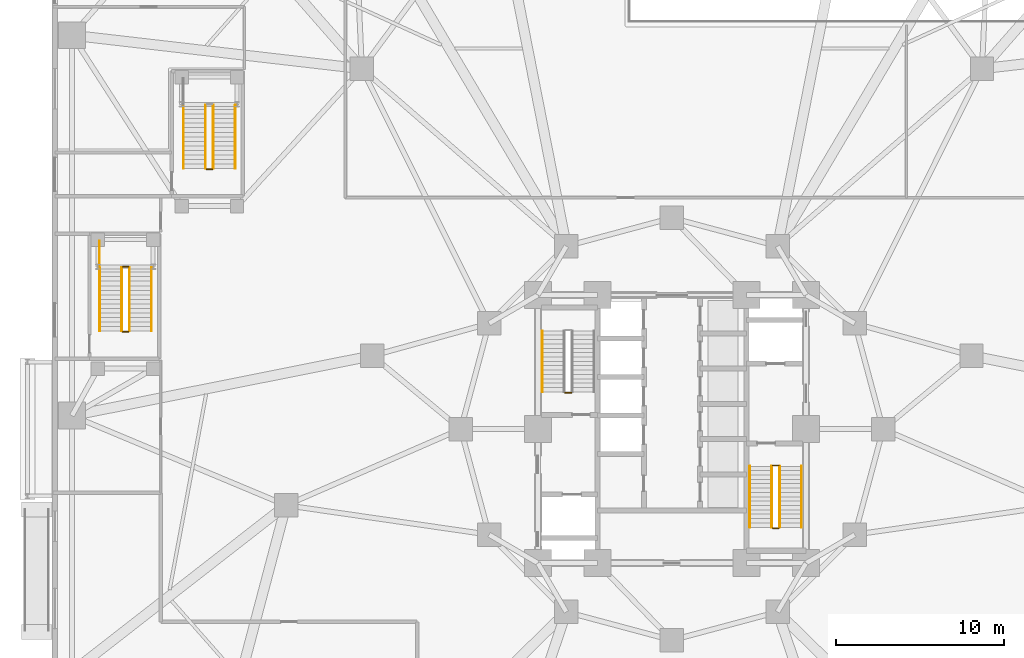
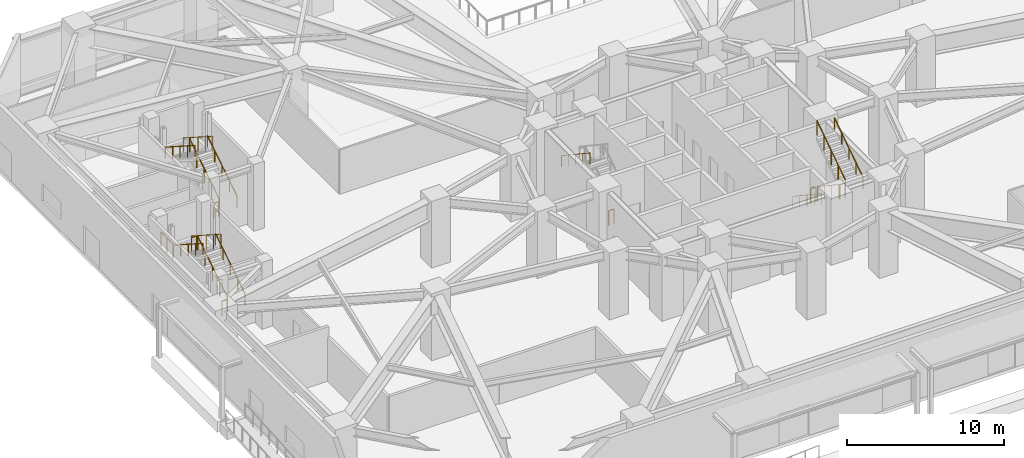
# One storey, part 24 of 30: 20 railings.
"""IFC4 building model written with IfcOpenShell, lengths in metres."""

from ifc_helpers import new_model, si_unit, direction, frame, origin, origin_2d, place, context, subcontext, project, spatial, circle, extrude, material, layer, layer_set, type_object, element, save


model = new_model("IFC4")

# Units and contexts
model_context = context("Model", 3, precision=1e-05, world=origin(), true_north=direction((0.0, 1.0)))
body_context = subcontext(model_context, "Body", "Model", "MODEL_VIEW")
ifc_project = project(units=[si_unit("LENGTHUNIT", "METRE"), si_unit("AREAUNIT", "SQUARE_METRE"), si_unit("VOLUMEUNIT", "CUBIC_METRE"), si_unit("PLANEANGLEUNIT", "RADIAN"), si_unit("MASSUNIT", "GRAM", prefix="KILO")], contexts=[model_context])

# Site, building, storey
site_placement = place(None, origin())
site = spatial("IfcSite", under=ifc_project, at=site_placement, CompositionType="ELEMENT")
building_placement = place(site_placement, origin())
building = spatial("IfcBuilding", under=site, at=building_placement, Name="Terralouvre Media Tower", CompositionType="ELEMENT")
storey_placement = place(building_placement, origin())
storey = spatial("IfcBuildingStorey", under=building, at=storey_placement, Name="L00", CompositionType="ELEMENT", Elevation=0.0)

# Railings
ifc_material_1 = material(Name="Stainless steel 316 handrail and balustrade", Category="steel")
ifc_layer_1 = layer(ifc_material_1, 0.050048828125, Name="Stair Flight Wall Handrail HR-INT1")
ifc_layer_set_1 = layer_set([ifc_layer_1], Name="Stainless steel 316 handrail and balustrade")
railing_type_1 = type_object("IfcRailingType", Name="Stair Flight Wall Handrail HR-INT1", PredefinedType="HANDRAIL", material=ifc_layer_set_1)
railing_1_placement = place(storey_placement, frame((-7.72998046875, 5.860107421875, 2.7734375)))
element("IfcRailing", 1, at=railing_1_placement, inside=storey, type_object=railing_type_1, Name="L00 ST-01 stair handrail 2", PredefinedType="HANDRAIL", context=body_context, shape_type="SweptSolid", body=[
    extrude(circle(Radius=0.02392578125, at=origin_2d()), frame((0.0, 0.0, 0.8759765625), z_axis=(0.0, -0.832076050322, 0.554661560305), x_axis=(1.0, 0.0, 0.0)), (0.0, 0.0, 1.0), 4.374755859375),
    extrude(circle(Radius=0.02099609375, at=origin_2d()), origin(), (0.0, 0.0, 1.0), 0.851806640625),
    extrude(circle(Radius=0.02099609375, at=origin_2d()), frame((0.0, -0.91015625, 0.606689453125)), (0.0, 0.0, 1.0), 0.851806640625),
    extrude(circle(Radius=0.02099609375, at=origin_2d()), frame((0.0, -1.820068359375, 1.21337890625)), (0.0, 0.0, 1.0), 0.851806640625),
    extrude(circle(Radius=0.02099609375, at=origin_2d()), frame((0.0, -2.72998046875, 1.81982421875)), (0.0, 0.0, 1.0), 0.851806640625),
    extrude(circle(Radius=0.02099609375, at=origin_2d()), frame((0.0, -3.64013671875, 2.426513671875)), (0.0, 0.0, 1.0), 0.851806640625),
])
railing_2_placement = place(storey_placement, frame((4.64990234375, -2.219970703125, 0.17333984375)))
element("IfcRailing", 2, at=railing_2_placement, inside=storey, type_object=railing_type_1, Name="L00 ST-02 stair handrail 1", PredefinedType="HANDRAIL", context=body_context, shape_type="SweptSolid", body=[
    extrude(circle(Radius=0.02392578125, at=origin_2d()), frame((0.0, 0.0, 0.8759765625), z_axis=(0.0, -0.832050294338, 0.554700196225), x_axis=(1.0, 0.0, 0.0)), (0.0, 0.0, 1.0), 4.375),
    extrude(circle(Radius=0.02099609375, at=origin_2d()), origin(), (0.0, 0.0, 1.0), 0.851806640625),
    extrude(circle(Radius=0.02099609375, at=origin_2d()), frame((0.0, -0.91015625, 0.606689453125)), (0.0, 0.0, 1.0), 0.851806640625),
    extrude(circle(Radius=0.02099609375, at=origin_2d()), frame((0.0, -1.820068359375, 1.21337890625)), (0.0, 0.0, 1.0), 0.851806640625),
    extrude(circle(Radius=0.02099609375, at=origin_2d()), frame((0.0, -2.72998046875, 1.820068359375)), (0.0, 0.0, 1.0), 0.851806640625),
    extrude(circle(Radius=0.02099609375, at=origin_2d()), frame((0.0, -3.64013671875, 2.4267578125)), (0.0, 0.0, 1.0), 0.851806640625),
])
railing_3_placement = place(storey_placement, frame((7.72998046875, -5.860107421875, 2.7734375)))
element("IfcRailing", 3, at=railing_3_placement, inside=storey, type_object=railing_type_1, Name="L00 ST-02 stair handrail 2", PredefinedType="HANDRAIL", context=body_context, shape_type="SweptSolid", body=[
    extrude(circle(Radius=0.02392578125, at=origin_2d()), frame((0.0, 0.0, 0.8759765625), z_axis=(0.0, 0.832076050322, 0.554661560305), x_axis=(-1.0, 0.0, 0.0)), (0.0, 0.0, 1.0), 4.374755859375),
    extrude(circle(Radius=0.02099609375, at=origin_2d()), origin(), (0.0, 0.0, 1.0), 0.851806640625),
    extrude(circle(Radius=0.02099609375, at=origin_2d()), frame((0.0, 0.91015625, 0.606689453125)), (0.0, 0.0, 1.0), 0.851806640625),
    extrude(circle(Radius=0.02099609375, at=origin_2d()), frame((0.0, 1.820068359375, 1.21337890625)), (0.0, 0.0, 1.0), 0.851806640625),
    extrude(circle(Radius=0.02099609375, at=origin_2d()), frame((0.0, 2.72998046875, 1.81982421875)), (0.0, 0.0, 1.0), 0.851806640625),
    extrude(circle(Radius=0.02099609375, at=origin_2d()), frame((0.0, 3.64013671875, 2.426513671875)), (0.0, 0.0, 1.0), 0.851806640625),
])
railing_4_placement = place(storey_placement, frame((-31.050048828125, 5.85009765625, 0.17333984375)))
element("IfcRailing", 4, at=railing_4_placement, inside=storey, type_object=railing_type_1, Name="L00 ST-03 stair handrail 1", PredefinedType="HANDRAIL", context=body_context, shape_type="SweptSolid", body=[
    extrude(circle(Radius=0.02392578125, at=origin_2d()), frame((0.0, 0.0, 0.8759765625), z_axis=(0.0, 0.841492677865, 0.540268519441), x_axis=(-1.0, 0.0, 0.0)), (0.0, 0.0, 1.0), 4.49169921875),
    extrude(circle(Radius=0.02099609375, at=origin_2d()), origin(), (0.0, 0.0, 1.0), 0.851806640625),
    extrude(circle(Radius=0.02099609375, at=origin_2d()), frame((0.0, 0.94482421875, 0.606689453125)), (0.0, 0.0, 1.0), 0.851806640625),
    extrude(circle(Radius=0.02099609375, at=origin_2d()), frame((0.0, 1.889892578125, 1.21337890625)), (0.0, 0.0, 1.0), 0.851806640625),
    extrude(circle(Radius=0.02099609375, at=origin_2d()), frame((0.0, 2.8349609375, 1.820068359375)), (0.0, 0.0, 1.0), 0.851806640625),
    extrude(circle(Radius=0.02099609375, at=origin_2d()), frame((0.0, 3.77978515625, 2.4267578125)), (0.0, 0.0, 1.0), 0.851806640625),
])
railing_5_placement = place(storey_placement, frame((-34.14990234375, 9.6298828125, 2.7734375)))
element("IfcRailing", 5, at=railing_5_placement, inside=storey, type_object=railing_type_1, Name="L00 ST-03 stair handrail 2", PredefinedType="HANDRAIL", context=body_context, shape_type="SweptSolid", body=[
    extrude(circle(Radius=0.02392578125, at=origin_2d()), frame((0.0, 0.0, 0.8759765625), z_axis=(0.0, -0.84151738831, 0.540230029868), x_axis=(1.0, 0.0, 0.0)), (0.0, 0.0, 1.0), 4.49169921875),
    extrude(circle(Radius=0.02099609375, at=origin_2d()), origin(), (0.0, 0.0, 1.0), 0.851806640625),
    extrude(circle(Radius=0.02099609375, at=origin_2d()), frame((0.0, -0.94482421875, 0.606689453125)), (0.0, 0.0, 1.0), 0.851806640625),
    extrude(circle(Radius=0.02099609375, at=origin_2d()), frame((0.0, -1.889892578125, 1.21337890625)), (0.0, 0.0, 1.0), 0.851806640625),
    extrude(circle(Radius=0.02099609375, at=origin_2d()), frame((0.0, -2.8349609375, 1.81982421875)), (0.0, 0.0, 1.0), 0.851806640625),
    extrude(circle(Radius=0.02099609375, at=origin_2d()), frame((0.0, -3.77978515625, 2.426513671875)), (0.0, 0.0, 1.0), 0.851806640625),
])
railing_6_placement = place(storey_placement, frame((-26.050048828125, 15.550048828125, 0.17333984375)))
element("IfcRailing", 6, at=railing_6_placement, inside=storey, type_object=railing_type_1, Name="L00 ST-06 stair handrail 1", PredefinedType="HANDRAIL", context=body_context, shape_type="SweptSolid", body=[
    extrude(circle(Radius=0.02392578125, at=origin_2d()), frame((0.0, 0.0, 0.8759765625), z_axis=(0.0, 0.841508541869, 0.540243809739), x_axis=(-1.0, 0.0, 0.0)), (0.0, 0.0, 1.0), 4.491943359375),
    extrude(circle(Radius=0.02099609375, at=origin_2d()), origin(), (0.0, 0.0, 1.0), 0.851806640625),
    extrude(circle(Radius=0.02099609375, at=origin_2d()), frame((0.0, 0.945068359375, 0.606689453125)), (0.0, 0.0, 1.0), 0.851806640625),
    extrude(circle(Radius=0.02099609375, at=origin_2d()), frame((0.0, 1.89013671875, 1.21337890625)), (0.0, 0.0, 1.0), 0.851806640625),
    extrude(circle(Radius=0.02099609375, at=origin_2d()), frame((0.0, 2.8349609375, 1.820068359375)), (0.0, 0.0, 1.0), 0.851806640625),
    extrude(circle(Radius=0.02099609375, at=origin_2d()), frame((0.0, 3.780029296875, 2.4267578125)), (0.0, 0.0, 1.0), 0.851806640625),
])
railing_7_placement = place(storey_placement, frame((-29.14990234375, 19.330078125, 2.7734375)))
element("IfcRailing", 7, at=railing_7_placement, inside=storey, type_object=railing_type_1, Name="L00 ST-06 stair handrail 2", PredefinedType="HANDRAIL", context=body_context, shape_type="SweptSolid", body=[
    extrude(circle(Radius=0.02392578125, at=origin_2d()), frame((0.0, 0.0, 0.8759765625), z_axis=(0.0, -0.84153325052, 0.540205320475), x_axis=(1.0, 0.0, 0.0)), (0.0, 0.0, 1.0), 4.491943359375),
    extrude(circle(Radius=0.02099609375, at=origin_2d()), origin(), (0.0, 0.0, 1.0), 0.851806640625),
    extrude(circle(Radius=0.02099609375, at=origin_2d()), frame((0.0, -0.945068359375, 0.606689453125)), (0.0, 0.0, 1.0), 0.851806640625),
    extrude(circle(Radius=0.02099609375, at=origin_2d()), frame((0.0, -1.89013671875, 1.21337890625)), (0.0, 0.0, 1.0), 0.851806640625),
    extrude(circle(Radius=0.02099609375, at=origin_2d()), frame((0.0, -2.8349609375, 1.81982421875)), (0.0, 0.0, 1.0), 0.851806640625),
    extrude(circle(Radius=0.02099609375, at=origin_2d()), frame((0.0, -3.780029296875, 2.426513671875)), (0.0, 0.0, 1.0), 0.851806640625),
])
ifc_material_2 = material(Name="Stainless steel 316 handrail and balustrade", Category="steel")
ifc_layer_2 = layer(ifc_material_2, 0.050048828125, Name="Stairwell Safety Guardrail GR-INT1")
ifc_layer_set_2 = layer_set([ifc_layer_2], Name="Stainless steel 316 handrail and balustrade")
railing_type_2 = type_object("IfcRailingType", Name="Stairwell Safety Guardrail GR-INT1", PredefinedType="GUARDRAIL", material=ifc_layer_set_2)
railing_8_placement = place(storey_placement, frame((-6.0, 2.169921875, 0.0)))
element("IfcRailing", 8, at=railing_8_placement, inside=storey, type_object=railing_type_2, Name="L00 ST-01 stair guard 4", PredefinedType="GUARDRAIL", context=body_context, shape_type="SweptSolid", body=[
    extrude(circle(Radius=0.02392578125, at=origin_2d()), frame((0.0, 0.0, 1.1259765625), z_axis=(-1.0, 0.0, 0.0), x_axis=(0.0, -1.0, 0.0)), (0.0, 0.0, 1.0), 0.3798828125),
    extrude(circle(Radius=0.02099609375, at=origin_2d()), origin(), (0.0, 0.0, 1.0), 1.101806640625),
    extrude(circle(Radius=0.02099609375, at=origin_2d()), frame((-0.3798828125, 0.0, 0.0)), (0.0, 0.0, 1.0), 1.101806640625),
])
railing_9_placement = place(storey_placement, frame((5.949951171875, -2.219970703125, 0.17333984375)))
element("IfcRailing", 9, at=railing_9_placement, inside=storey, type_object=railing_type_2, Name="L00 ST-02 stair guard 1", PredefinedType="GUARDRAIL", context=body_context, shape_type="SweptSolid", body=[
    extrude(circle(Radius=0.02392578125, at=origin_2d()), frame((0.0, 0.0, 1.1259765625), z_axis=(0.0, -0.832050294338, 0.554700196225), x_axis=(1.0, 0.0, 0.0)), (0.0, 0.0, 1.0), 4.375),
    extrude(circle(Radius=0.02099609375, at=origin_2d()), origin(), (0.0, 0.0, 1.0), 1.101806640625),
    extrude(circle(Radius=0.02099609375, at=origin_2d()), frame((0.0, -0.91015625, 0.606689453125)), (0.0, 0.0, 1.0), 1.101806640625),
    extrude(circle(Radius=0.02099609375, at=origin_2d()), frame((0.0, -1.820068359375, 1.21337890625)), (0.0, 0.0, 1.0), 1.101806640625),
    extrude(circle(Radius=0.02099609375, at=origin_2d()), frame((0.0, -2.72998046875, 1.820068359375)), (0.0, 0.0, 1.0), 1.101806640625),
    extrude(circle(Radius=0.02099609375, at=origin_2d()), frame((0.0, -3.64013671875, 2.4267578125)), (0.0, 0.0, 1.0), 1.101806640625),
])
railing_10_placement = place(storey_placement, frame((6.0, -5.909912109375, 2.60009765625)))
element("IfcRailing", 10, at=railing_10_placement, inside=storey, type_object=railing_type_2, Name="L00 ST-02 stair guard 2", PredefinedType="GUARDRAIL", context=body_context, shape_type="SweptSolid", body=[
    extrude(circle(Radius=0.02392578125, at=origin_2d()), frame((0.0, 0.0, 1.1259765625), z_axis=(1.0, 0.0, 0.0), x_axis=(0.0, 1.0, 0.0)), (0.0, 0.0, 1.0), 0.3798828125),
    extrude(circle(Radius=0.02099609375, at=origin_2d()), origin(), (0.0, 0.0, 1.0), 1.101806640625),
    extrude(circle(Radius=0.02099609375, at=origin_2d()), frame((0.3798828125, 0.0, 0.0)), (0.0, 0.0, 1.0), 1.101806640625),
])
railing_11_placement = place(storey_placement, frame((6.429931640625, -5.860107421875, 2.7734375)))
element("IfcRailing", 11, at=railing_11_placement, inside=storey, type_object=railing_type_2, Name="L00 ST-02 stair guard 3", PredefinedType="GUARDRAIL", context=body_context, shape_type="SweptSolid", body=[
    extrude(circle(Radius=0.02392578125, at=origin_2d()), frame((0.0, 0.0, 1.1259765625), z_axis=(0.0, 0.832076050322, 0.554661560305), x_axis=(-1.0, 0.0, 0.0)), (0.0, 0.0, 1.0), 4.374755859375),
    extrude(circle(Radius=0.02099609375, at=origin_2d()), origin(), (0.0, 0.0, 1.0), 1.101806640625),
    extrude(circle(Radius=0.02099609375, at=origin_2d()), frame((0.0, 0.91015625, 0.606689453125)), (0.0, 0.0, 1.0), 1.101806640625),
    extrude(circle(Radius=0.02099609375, at=origin_2d()), frame((0.0, 1.820068359375, 1.21337890625)), (0.0, 0.0, 1.0), 1.101806640625),
    extrude(circle(Radius=0.02099609375, at=origin_2d()), frame((0.0, 2.72998046875, 1.81982421875)), (0.0, 0.0, 1.0), 1.101806640625),
    extrude(circle(Radius=0.02099609375, at=origin_2d()), frame((0.0, 3.64013671875, 2.426513671875)), (0.0, 0.0, 1.0), 1.101806640625),
])
railing_12_placement = place(storey_placement, frame((6.0, -2.169921875, 0.0)))
element("IfcRailing", 12, at=railing_12_placement, inside=storey, type_object=railing_type_2, Name="L00 ST-02 stair guard 4", PredefinedType="GUARDRAIL", context=body_context, shape_type="SweptSolid", body=[
    extrude(circle(Radius=0.02392578125, at=origin_2d()), frame((0.0, 0.0, 1.1259765625), z_axis=(1.0, 0.0, 0.0), x_axis=(0.0, 1.0, 0.0)), (0.0, 0.0, 1.0), 0.3798828125),
    extrude(circle(Radius=0.02099609375, at=origin_2d()), origin(), (0.0, 0.0, 1.0), 1.101806640625),
    extrude(circle(Radius=0.02099609375, at=origin_2d()), frame((0.3798828125, 0.0, 0.0)), (0.0, 0.0, 1.0), 1.101806640625),
])
railing_13_placement = place(storey_placement, frame((-32.3701171875, 5.85009765625, 0.17333984375)))
element("IfcRailing", 13, at=railing_13_placement, inside=storey, type_object=railing_type_2, Name="L00 ST-03 stair guard 1", PredefinedType="GUARDRAIL", context=body_context, shape_type="SweptSolid", body=[
    extrude(circle(Radius=0.02392578125, at=origin_2d()), frame((0.0, 0.0, 1.1259765625), z_axis=(0.0, 0.841492677865, 0.540268519441), x_axis=(-1.0, 0.0, 0.0)), (0.0, 0.0, 1.0), 4.49169921875),
    extrude(circle(Radius=0.02099609375, at=origin_2d()), origin(), (0.0, 0.0, 1.0), 1.101806640625),
    extrude(circle(Radius=0.02099609375, at=origin_2d()), frame((0.0, 0.94482421875, 0.606689453125)), (0.0, 0.0, 1.0), 1.101806640625),
    extrude(circle(Radius=0.02099609375, at=origin_2d()), frame((0.0, 1.889892578125, 1.21337890625)), (0.0, 0.0, 1.0), 1.101806640625),
    extrude(circle(Radius=0.02099609375, at=origin_2d()), frame((0.0, 2.8349609375, 1.820068359375)), (0.0, 0.0, 1.0), 1.101806640625),
    extrude(circle(Radius=0.02099609375, at=origin_2d()), frame((0.0, 3.77978515625, 2.4267578125)), (0.0, 0.0, 1.0), 1.101806640625),
])
railing_14_placement = place(storey_placement, frame((-32.419921875, 9.679931640625, 2.60009765625)))
element("IfcRailing", 14, at=railing_14_placement, inside=storey, type_object=railing_type_2, Name="L00 ST-03 stair guard 2", PredefinedType="GUARDRAIL", context=body_context, shape_type="SweptSolid", body=[
    extrude(circle(Radius=0.02392578125, at=origin_2d()), frame((0.0, 0.0, 1.1259765625), z_axis=(-1.0, 0.0, 0.0), x_axis=(0.0, -1.0, 0.0)), (0.0, 0.0, 1.0), 0.360107421875),
    extrude(circle(Radius=0.02099609375, at=origin_2d()), origin(), (0.0, 0.0, 1.0), 1.101806640625),
    extrude(circle(Radius=0.02099609375, at=origin_2d()), frame((-0.360107421875, 0.0, 0.0)), (0.0, 0.0, 1.0), 1.101806640625),
])
railing_15_placement = place(storey_placement, frame((-32.830078125, 9.6298828125, 2.7734375)))
element("IfcRailing", 15, at=railing_15_placement, inside=storey, type_object=railing_type_2, Name="L00 ST-03 stair guard 3", PredefinedType="GUARDRAIL", context=body_context, shape_type="SweptSolid", body=[
    extrude(circle(Radius=0.02392578125, at=origin_2d()), frame((0.0, 0.0, 1.1259765625), z_axis=(0.0, -0.84151738831, 0.540230029868), x_axis=(1.0, 0.0, 0.0)), (0.0, 0.0, 1.0), 4.49169921875),
    extrude(circle(Radius=0.02099609375, at=origin_2d()), origin(), (0.0, 0.0, 1.0), 1.101806640625),
    extrude(circle(Radius=0.02099609375, at=origin_2d()), frame((0.0, -0.94482421875, 0.606689453125)), (0.0, 0.0, 1.0), 1.101806640625),
    extrude(circle(Radius=0.02099609375, at=origin_2d()), frame((0.0, -1.889892578125, 1.21337890625)), (0.0, 0.0, 1.0), 1.101806640625),
    extrude(circle(Radius=0.02099609375, at=origin_2d()), frame((0.0, -2.8349609375, 1.81982421875)), (0.0, 0.0, 1.0), 1.101806640625),
    extrude(circle(Radius=0.02099609375, at=origin_2d()), frame((0.0, -3.77978515625, 2.426513671875)), (0.0, 0.0, 1.0), 1.101806640625),
])
railing_16_placement = place(storey_placement, frame((-32.419921875, 5.800048828125, 0.0)))
element("IfcRailing", 16, at=railing_16_placement, inside=storey, type_object=railing_type_2, Name="L00 ST-03 stair guard 4", PredefinedType="GUARDRAIL", context=body_context, shape_type="SweptSolid", body=[
    extrude(circle(Radius=0.02392578125, at=origin_2d()), frame((0.0, 0.0, 1.1259765625), z_axis=(-1.0, 0.0, 0.0), x_axis=(0.0, -1.0, 0.0)), (0.0, 0.0, 1.0), 0.360107421875),
    extrude(circle(Radius=0.02099609375, at=origin_2d()), origin(), (0.0, 0.0, 1.0), 1.101806640625),
    extrude(circle(Radius=0.02099609375, at=origin_2d()), frame((-0.360107421875, 0.0, 0.0)), (0.0, 0.0, 1.0), 1.101806640625),
])
railing_17_placement = place(storey_placement, frame((-27.3701171875, 15.550048828125, 0.17333984375)))
element("IfcRailing", 17, at=railing_17_placement, inside=storey, type_object=railing_type_2, Name="L00 ST-06 stair guard 1", PredefinedType="GUARDRAIL", context=body_context, shape_type="SweptSolid", body=[
    extrude(circle(Radius=0.02392578125, at=origin_2d()), frame((0.0, 0.0, 1.1259765625), z_axis=(0.0, 0.841508541869, 0.540243809739), x_axis=(-1.0, 0.0, 0.0)), (0.0, 0.0, 1.0), 4.491943359375),
    extrude(circle(Radius=0.02099609375, at=origin_2d()), origin(), (0.0, 0.0, 1.0), 1.101806640625),
    extrude(circle(Radius=0.02099609375, at=origin_2d()), frame((0.0, 0.945068359375, 0.606689453125)), (0.0, 0.0, 1.0), 1.101806640625),
    extrude(circle(Radius=0.02099609375, at=origin_2d()), frame((0.0, 1.89013671875, 1.21337890625)), (0.0, 0.0, 1.0), 1.101806640625),
    extrude(circle(Radius=0.02099609375, at=origin_2d()), frame((0.0, 2.8349609375, 1.820068359375)), (0.0, 0.0, 1.0), 1.101806640625),
    extrude(circle(Radius=0.02099609375, at=origin_2d()), frame((0.0, 3.780029296875, 2.4267578125)), (0.0, 0.0, 1.0), 1.101806640625),
])
railing_18_placement = place(storey_placement, frame((-27.830078125, 19.330078125, 2.7734375)))
element("IfcRailing", 18, at=railing_18_placement, inside=storey, type_object=railing_type_2, Name="L00 ST-06 stair guard 3", PredefinedType="GUARDRAIL", context=body_context, shape_type="SweptSolid", body=[
    extrude(circle(Radius=0.02392578125, at=origin_2d()), frame((0.0, 0.0, 1.1259765625), z_axis=(0.0, -0.84153325052, 0.540205320475), x_axis=(1.0, 0.0, 0.0)), (0.0, 0.0, 1.0), 4.491943359375),
    extrude(circle(Radius=0.02099609375, at=origin_2d()), origin(), (0.0, 0.0, 1.0), 1.101806640625),
    extrude(circle(Radius=0.02099609375, at=origin_2d()), frame((0.0, -0.945068359375, 0.606689453125)), (0.0, 0.0, 1.0), 1.101806640625),
    extrude(circle(Radius=0.02099609375, at=origin_2d()), frame((0.0, -1.89013671875, 1.21337890625)), (0.0, 0.0, 1.0), 1.101806640625),
    extrude(circle(Radius=0.02099609375, at=origin_2d()), frame((0.0, -2.8349609375, 1.81982421875)), (0.0, 0.0, 1.0), 1.101806640625),
    extrude(circle(Radius=0.02099609375, at=origin_2d()), frame((0.0, -3.780029296875, 2.426513671875)), (0.0, 0.0, 1.0), 1.101806640625),
])
railing_19_placement = place(storey_placement, frame((-27.419921875, 15.5, 0.0)))
element("IfcRailing", 19, at=railing_19_placement, inside=storey, type_object=railing_type_2, Name="L00 ST-06 stair guard 4", PredefinedType="GUARDRAIL", context=body_context, shape_type="SweptSolid", body=[
    extrude(circle(Radius=0.02392578125, at=origin_2d()), frame((0.0, 0.0, 1.1259765625), z_axis=(-1.0, 0.0, 0.0), x_axis=(0.0, -1.0, 0.0)), (0.0, 0.0, 1.0), 0.360107421875),
    extrude(circle(Radius=0.02099609375, at=origin_2d()), origin(), (0.0, 0.0, 1.0), 1.101806640625),
    extrude(circle(Radius=0.02099609375, at=origin_2d()), frame((-0.360107421875, 0.0, 0.0)), (0.0, 0.0, 1.0), 1.101806640625),
])
railing_20_placement = place(storey_placement, frame((-34.159912109375, 9.669921875, 2.60009765625)))
element("IfcRailing", 20, at=railing_20_placement, inside=storey, type_object=railing_type_2, Name="L00 ST-03 Half-Landing Outer Guardrail", PredefinedType="GUARDRAIL", context=body_context, shape_type="SweptSolid", body=[
    extrude(circle(Radius=0.02392578125, at=origin_2d()), frame((0.0, 0.0, 1.1259765625), z_axis=(0.0, 1.0, 0.0), x_axis=(-1.0, 0.0, 0.0)), (0.0, 0.0, 1.0), 1.5400390625),
    extrude(circle(Radius=0.02099609375, at=origin_2d()), origin(), (0.0, 0.0, 1.0), 1.101806640625),
    extrude(circle(Radius=0.02099609375, at=origin_2d()), frame((0.0, 0.77001953125, 0.0)), (0.0, 0.0, 1.0), 1.101806640625),
    extrude(circle(Radius=0.02099609375, at=origin_2d()), frame((0.0, 1.5400390625, 0.0)), (0.0, 0.0, 1.0), 1.101806640625),
])

save(model, "model.ifc")
